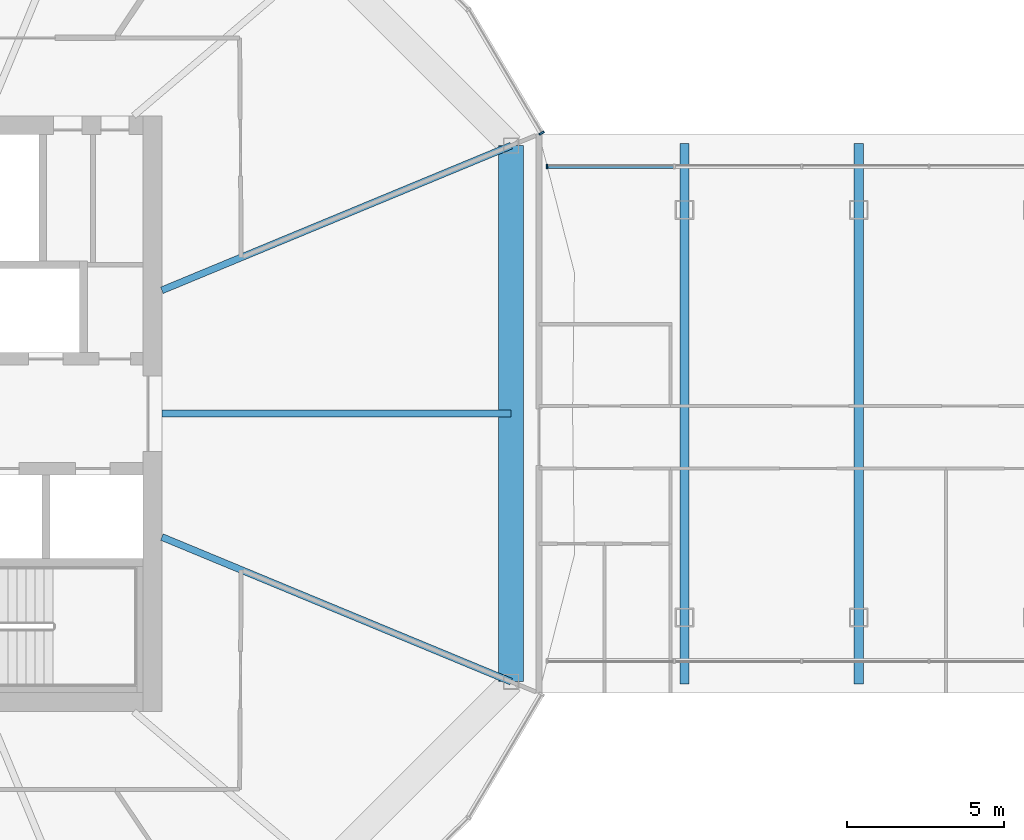
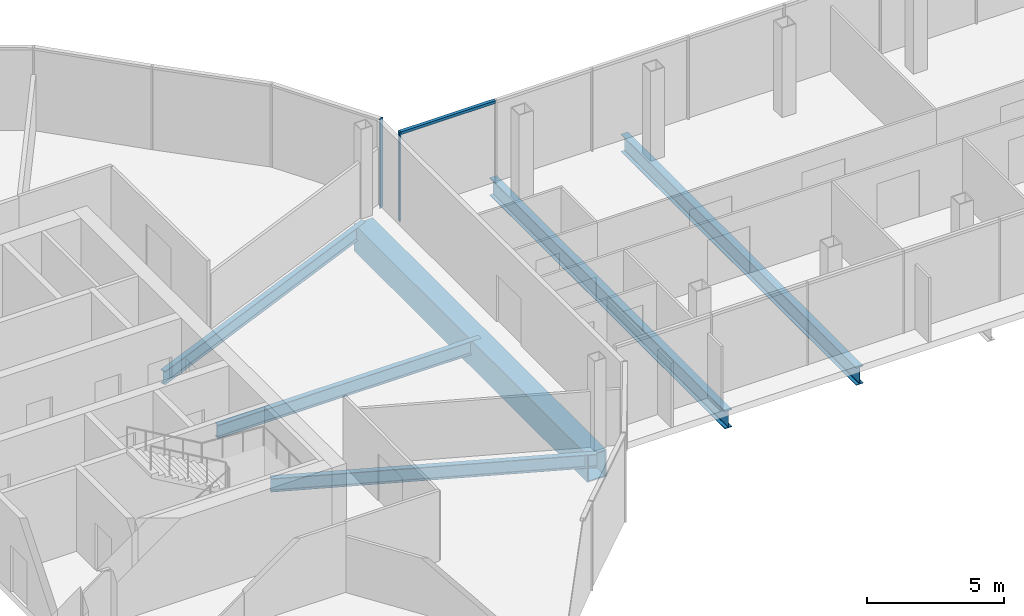
# One storey, part 7 of 25: 6 beams, 3 members, 2 elements without a shape of their own.
"""IFC4 building model written with IfcOpenShell, lengths in metres."""

from ifc_helpers import new_model, si_unit, direction, frame, origin, origin_2d, place, context, subcontext, project, spatial, rectangle, hollow_rectangle, i_section, extrude, material, material_profile, profile_set, type_object, element, aggregate, save


model = new_model("IFC4")

# Units and contexts
model_context = context("Model", 3, precision=1e-05, world=origin(), true_north=direction((0.0, 1.0)))
body_context = subcontext(model_context, "Body", "Model", "MODEL_VIEW")
ifc_project = project(units=[si_unit("LENGTHUNIT", "METRE"), si_unit("AREAUNIT", "SQUARE_METRE"), si_unit("VOLUMEUNIT", "CUBIC_METRE"), si_unit("PLANEANGLEUNIT", "RADIAN"), si_unit("MASSUNIT", "GRAM", prefix="KILO")], contexts=[model_context])

# Site, building, storey
site_placement = place(None, origin())
site = spatial("IfcSite", under=ifc_project, at=site_placement, CompositionType="ELEMENT")
building_placement = place(site_placement, origin())
building = spatial("IfcBuilding", under=site, at=building_placement, Name="Ogive Gate Towers", CompositionType="ELEMENT")
storey_placement = place(building_placement, frame((0.0, 0.0, 144.800048828125)))
storey = spatial("IfcBuildingStorey", under=building, at=storey_placement, Name="L34", CompositionType="ELEMENT", Elevation=144.800048828125)

# Beams
ifc_material_1 = material(Name="Steel SM460", Category="steel")
ifc_material_profile_1 = material_profile(ifc_material_1, i_section(OverallWidth=0.300048828125, OverallDepth=0.7900390625, WebThickness=0.014892578125, FlangeThickness=0.028076171875, FilletRadius=0.030029296875, at=origin_2d()), Name="HE 800 A")
ifc_profile_set_1 = profile_set([ifc_material_profile_1], Name="Steel SM460")
beam_type_1 = type_object("IfcBeamType", Name="Block floor beam HE 800 A", PredefinedType="BEAM", material=ifc_profile_set_1)
for number, where, z_axis, x_axis, name in (
    (1, (-9.83056640625, -8.616455078125, -0.695068359375), (0.0, 1.0, 0.0), (-1.0, 0.0, 0.0), "BR/L34/SBM001"),
    (2, (-4.27392578125, -8.616455078125, -0.695068359375), (0.0, 1.0, 0.0), (-1.0, 0.0, 0.0), "BR/L34/SBM002"),
):
    element("IfcBeam", number, at=place(storey_placement, frame(where, z_axis=z_axis, x_axis=x_axis)), inside=storey, type_object=beam_type_1, Name=name, PredefinedType="BEAM", context=body_context, shape_type="SweptSolid", body=[
        extrude(i_section(OverallWidth=0.300048828125, OverallDepth=0.7900390625, WebThickness=0.014892578125, FlangeThickness=0.028076171875, FilletRadius=0.030029296875, at=origin_2d()), origin(), (0.0, 0.0, 1.0), 17.23291015625),
    ])
ifc_material_profile_2 = material_profile(ifc_material_1, hollow_rectangle(XDim=0.800048828125, YDim=1.199951171875, WallThickness=0.050048828125, at=origin_2d()), Name="BX 1200x800x50")
ifc_profile_set_2 = profile_set([ifc_material_profile_2], Name="Steel SM460")
beam_type_2 = type_object("IfcBeamType", Name="Edge girder BX 1200x800x50", PredefinedType="BEAM", material=ifc_profile_set_2)
beam_1_placement = place(storey_placement, frame((-15.360595703125, -8.549072265625, -0.900146484375), z_axis=(0.0, 1.0, 0.0), x_axis=(-1.0, 0.0, 0.0)))
element("IfcBeam", 3, at=beam_1_placement, inside=storey, type_object=beam_type_2, Name="T1/L34/SBM020", PredefinedType="BEAM", context=body_context, shape_type="SweptSolid", body=[
    extrude(hollow_rectangle(XDim=0.800048828125, YDim=1.199951171875, WallThickness=0.050048828125, at=origin_2d()), origin(), (0.0, 0.0, 1.0), 17.09814453125),
])

# Curtain wall, members
ifc_material_2 = material(Name="Pale metal aluminium", Category="aluminium")
curtain_wall_type_1 = type_object("IfcCurtainWallType", Name="Gate block facade", PredefinedType="NOTDEFINED", material=ifc_material_2)
curtain_wall_1_placement = place(storey_placement, origin())
curtain_wall_1 = element("IfcCurtainWall", 4, at=curtain_wall_1_placement, inside=storey, type_object=curtain_wall_type_1, Name="CW3 BR ECW02", PredefinedType="NOTDEFINED")
ifc_material_profile_3 = material_profile(ifc_material_2, rectangle(XDim=0.139892578125, YDim=0.06005859375, at=origin_2d()), Name="60 x 140 aluminium box")
ifc_profile_set_3 = profile_set([ifc_material_profile_3], Name="Pale metal aluminium")
member_type_1 = type_object("IfcMemberType", Name="Gate block facade mullion 60 x 140", PredefinedType="MULLION", material=ifc_profile_set_3)
member_1_placement = place(storey_placement, frame((-14.21728515625, 7.886474609375, -0.300048828125), z_axis=(0.0, 0.0, 1.0), x_axis=(0.0, 1.0, 0.0)))
member_1 = element("IfcMember", 5, at=member_1_placement, type_object=member_type_1, Name="CW3 mullion", PredefinedType="MULLION", context=body_context, shape_type="SweptSolid", body=[
    extrude(rectangle(XDim=0.139892578125, YDim=0.06005859375, at=origin_2d()), origin(), (0.0, 0.0, 1.0), 4.0),
])
ifc_material_profile_4 = material_profile(ifc_material_2, rectangle(XDim=0.139892578125, YDim=0.1201171875, at=origin_2d()), Name="120 x 140 aluminium box")
ifc_profile_set_4 = profile_set([ifc_material_profile_4], Name="Pale metal aluminium")
member_type_2 = type_object("IfcMemberType", Name="Gate block facade transom 120 x 140", PredefinedType="USERDEFINED", material=ifc_profile_set_4)
member_2_placement = place(storey_placement, frame((-10.185302734375, 7.886474609375, 3.639892578125), z_axis=(-1.0, 0.0, 0.0), x_axis=(0.0, -1.0, 0.0)))
member_2 = element("IfcMember", 6, at=member_2_placement, type_object=member_type_2, Name="CW3 transom", ObjectType="TRANSOM", PredefinedType="USERDEFINED", context=body_context, shape_type="SweptSolid", body=[
    extrude(rectangle(XDim=0.139892578125, YDim=0.1201171875, at=origin_2d()), origin(), (0.0, 0.0, 1.0), 4.002197265625),
])
aggregate(curtain_wall_1, [member_1, member_2])

# Beams
ifc_material_3 = material(Name="Steel SM355", Category="steel")
ifc_material_profile_5 = material_profile(ifc_material_3, i_section(OverallWidth=0.219970703125, OverallDepth=0.60009765625, WebThickness=0.011962890625, FlangeThickness=0.01904296875, FilletRadius=0.02392578125, at=origin_2d()), Name="IPE 600")
ifc_profile_set_5 = profile_set([ifc_material_profile_5], Name="Steel SM355")
beam_type_3 = type_object("IfcBeamType", Name="Radial floor beam IPE 600", PredefinedType="BEAM", material=ifc_profile_set_5)
beam_2_placement = place(storey_placement, frame((-26.5, -3.93505859375, -0.60009765625), z_axis=(0.923881839184, -0.382677863518, 0.0), x_axis=(0.382677863518, 0.923881839184, 0.0)))
element("IfcBeam", 7, at=beam_2_placement, inside=storey, type_object=beam_type_3, Name="T1/L34/SBM007", PredefinedType="BEAM", context=body_context, shape_type="SweptSolid", body=[
    extrude(i_section(OverallWidth=0.219970703125, OverallDepth=0.60009765625, WebThickness=0.011962890625, FlangeThickness=0.01904296875, FilletRadius=0.02392578125, at=origin_2d()), origin(), (0.0, 0.0, 1.0), 12.05712890625),
])
beam_3_placement = place(storey_placement, frame((-26.5, 0.0, -0.60009765625), z_axis=(1.0, 0.0, 0.0), x_axis=(0.0, 1.0, 0.0)))
element("IfcBeam", 8, at=beam_3_placement, inside=storey, type_object=beam_type_3, Name="T1/L34/SBM008", PredefinedType="BEAM", context=body_context, shape_type="SweptSolid", body=[
    extrude(i_section(OverallWidth=0.219970703125, OverallDepth=0.60009765625, WebThickness=0.011962890625, FlangeThickness=0.01904296875, FilletRadius=0.02392578125, at=origin_2d()), origin(), (0.0, 0.0, 1.0), 11.139404296875),
])
beam_4_placement = place(storey_placement, frame((-26.5, 3.93505859375, -0.60009765625), z_axis=(0.923881839184, 0.382677863518, 0.0), x_axis=(-0.382677863518, 0.923881839184, 0.0)))
element("IfcBeam", 9, at=beam_4_placement, inside=storey, type_object=beam_type_3, Name="T1/L34/SBM009", PredefinedType="BEAM", context=body_context, shape_type="SweptSolid", body=[
    extrude(i_section(OverallWidth=0.219970703125, OverallDepth=0.60009765625, WebThickness=0.011962890625, FlangeThickness=0.01904296875, FilletRadius=0.02392578125, at=origin_2d()), origin(), (0.0, 0.0, 1.0), 12.05712890625),
])

# Curtain wall, member
curtain_wall_type_2 = type_object("IfcCurtainWallType", Name="Tower unitised wall, high zone", PredefinedType="NOTDEFINED", material=ifc_material_2)
curtain_wall_2_placement = place(storey_placement, origin())
curtain_wall_2 = element("IfcCurtainWall", 10, at=curtain_wall_2_placement, inside=storey, type_object=curtain_wall_type_2, Name="CW2 T1 ECW01", PredefinedType="NOTDEFINED")
ifc_material_profile_6 = material_profile(ifc_material_2, rectangle(XDim=0.179931640625, YDim=0.06005859375, at=origin_2d()), Name="60 x 180 aluminium box")
ifc_profile_set_6 = profile_set([ifc_material_profile_6], Name="Pale metal aluminium")
member_type_3 = type_object("IfcMemberType", Name="Tower unitised wall, high zone mullion 60 x 180", PredefinedType="MULLION", material=ifc_profile_set_6)
member_3_placement = place(storey_placement, frame((-14.388916015625, 8.9501953125, -0.300048828125), z_axis=(0.0, 0.0, 1.0), x_axis=(0.860466483121, 0.509507047474, 0.0)))
member_3 = element("IfcMember", 11, at=member_3_placement, type_object=member_type_3, Name="CW2 mullion", PredefinedType="MULLION", context=body_context, shape_type="SweptSolid", body=[
    extrude(rectangle(XDim=0.179931640625, YDim=0.06005859375, at=origin_2d()), origin(), (0.0, 0.0, 1.0), 4.0),
])
aggregate(curtain_wall_2, [member_3])

save(model, "model.ifc")
